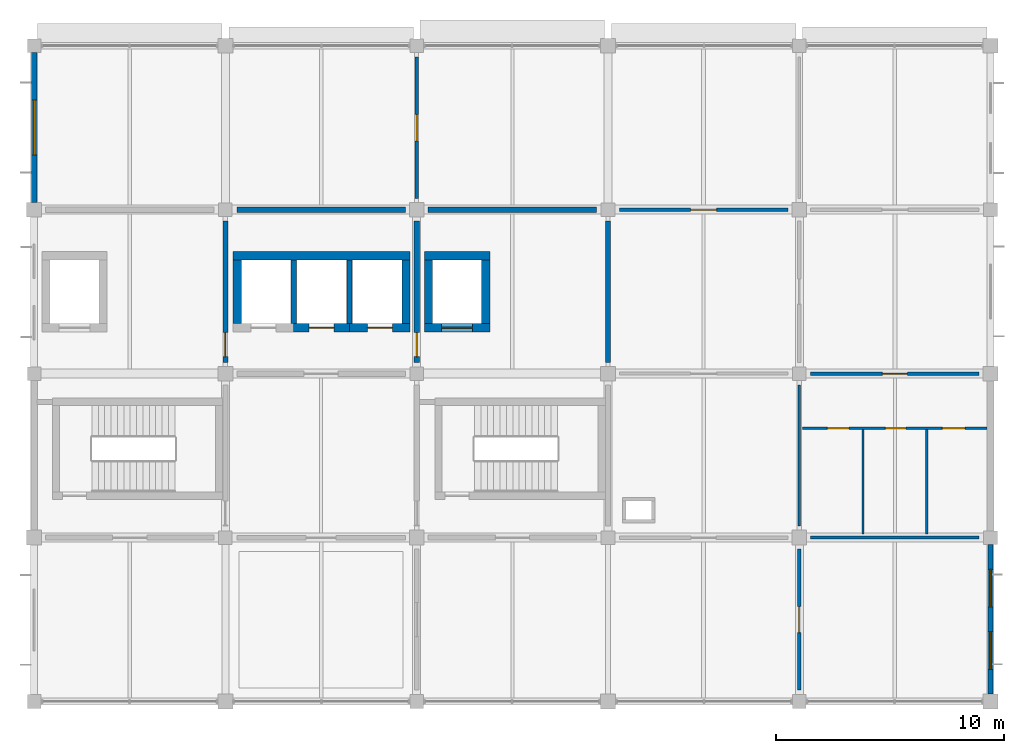
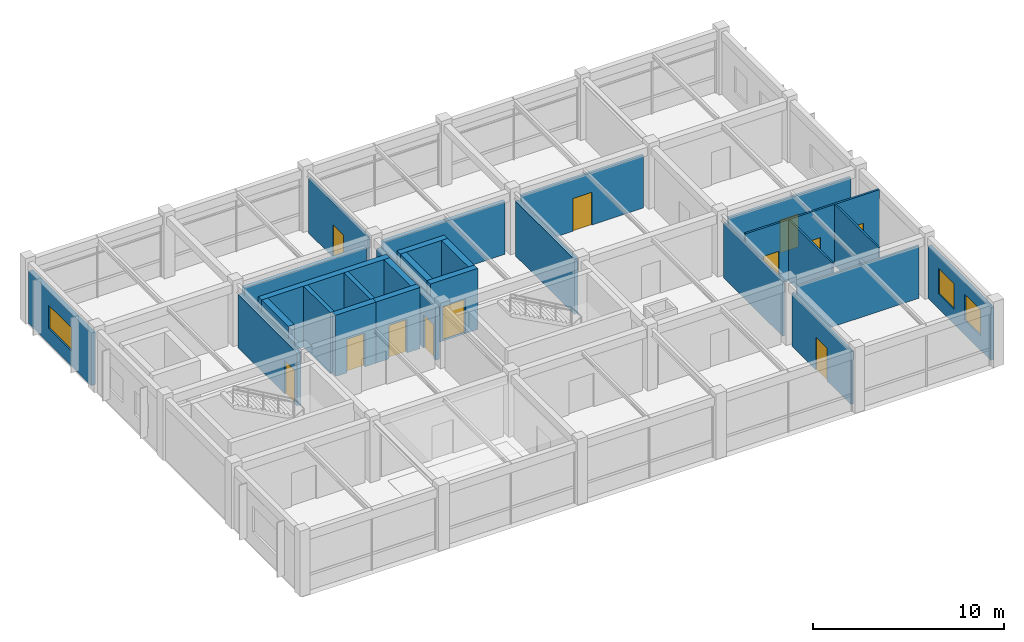
# One storey, part 9 of 11: 27 walls, 12 doors, 3 windows, 15 openings.
"""IFC4 building model written with IfcOpenShell, lengths in metres."""

from ifc_helpers import new_model, si_unit, derived_unit, direction, frame, frame_2d, origin, place, context, subcontext, project, spatial, rectangle, extrude, material, layer, layer_set, type_object, element, fill, save


model = new_model("IFC4")

# Units and contexts
model_context = context("Model", 3, precision=1e-05, world=origin(), true_north=direction((0.0, 1.0)))
body_context = subcontext(model_context, "Body", "Model", "MODEL_VIEW")
ifc_project = project(units=[si_unit("LENGTHUNIT", "METRE"), si_unit("AREAUNIT", "SQUARE_METRE"), si_unit("VOLUMEUNIT", "CUBIC_METRE"), si_unit("PLANEANGLEUNIT", "RADIAN"), si_unit("MASSUNIT", "GRAM", prefix="KILO"), derived_unit("THERMALTRANSMITTANCEUNIT", [(si_unit("MASSUNIT", "GRAM", prefix="KILO"), 1), (si_unit("TIMEUNIT", "SECOND"), -3), (si_unit("THERMODYNAMICTEMPERATUREUNIT", "KELVIN"), -1)])], contexts=[model_context])

# Site, building, storey
site_placement = place(None, origin())
site = spatial("IfcSite", under=ifc_project, at=site_placement, CompositionType="ELEMENT")
building_placement = place(site_placement, origin())
building = spatial("IfcBuilding", under=site, at=building_placement, Name="Veldstrom Oceanarium and Marine Research Institute", CompositionType="ELEMENT")
storey_placement = place(building_placement, frame((0.0, 0.0, 48.0)))
storey = spatial("IfcBuildingStorey", under=building, at=storey_placement, Name="L10", CompositionType="ELEMENT", Elevation=48.0)

# Wall, opening, window
ifc_material_1 = material(Name="Masonry Cavity Wall", Category="masonry")
ifc_layer_1 = layer(ifc_material_1, 0.25)
ifc_layer_set_1 = layer_set([ifc_layer_1], Name="ARC-WAL-EW5")
wall_type_1 = type_object("IfcWallType", Name="ARC-WAL-EW5", PredefinedType="SOLIDWALL", material=ifc_layer_set_1)
wall_1_placement = place(storey_placement, frame((75.60009765625, 65.125, 0.0), z_axis=(0.0, 0.0, 1.0), x_axis=(0.0, 1.0, 0.0)))
wall_1 = element("IfcWall", 1, at=wall_1_placement, inside=storey, type_object=wall_type_1, Name="Exterior Facade Wall EW5 L10-226", PredefinedType="SOLIDWALL", context=body_context, shape_type="SweptSolid", body=[
    extrude(rectangle(XDim=6.574951171875, YDim=0.25, at=frame_2d((3.28759765625, 0.0))), origin(), (0.0, 0.0, 1.0), 3.364990234375),
])
opening_1_placement = place(wall_1_placement, frame((2.08740234375, 0.0, 0.949951171875)))
opening_1 = element("IfcOpeningElement", 2, at=opening_1_placement, cuts=wall_1, Name="Opening W13", PredefinedType="OPENING", context=body_context, shape_type="SweptSolid", body=[
    extrude(rectangle(XDim=2.39990234375, YDim=1.5, at=frame_2d((1.199951171875, 0.75))), frame((0.0, 0.135009765625, 0.0), z_axis=(0.0, -1.0, 0.0), x_axis=(1.0, 0.0, 0.0)), (0.0, 0.0, 1.0), 0.27001953125),
])
ifc_material_2 = material(Name="Double Glazed Low-E IGU", Category="glass")
window_type_1 = type_object("IfcWindowType", Name="ARC-WIN-W13", PartitioningType="SINGLE_PANEL", PredefinedType="WINDOW", material=ifc_material_2)
window_1_placement = place(opening_1_placement, origin())
window_1 = element("IfcWindow", 3, at=window_1_placement, inside=storey, type_object=window_type_1, Name="Facade Window W13 L10-0203", OverallHeight=1.5, OverallWidth=2.39990234375, PartitioningType="SINGLE_PANEL", PredefinedType="WINDOW", context=body_context, shape_type="SweptSolid", body=[
    extrude(rectangle(XDim=2.39990234375, YDim=1.5, at=frame_2d((1.199951171875, 0.75))), frame((0.0, 0.030029296875, 0.0), z_axis=(0.0, -1.0, 0.0), x_axis=(1.0, 0.0, 0.0)), (0.0, 0.0, 1.0), 0.06005859375),
])
fill(opening_1, window_1)

# Wall, openings, windows
ifc_material_3 = material(Name="Masonry Cavity Wall", Category="masonry")
ifc_layer_2 = layer(ifc_material_3, 0.215087890625)
ifc_layer_set_2 = layer_set([ifc_layer_2], Name="ARC-WAL-EW6")
wall_type_2 = type_object("IfcWallType", Name="ARC-WAL-EW6", PredefinedType="SOLIDWALL", material=ifc_layer_set_2)
wall_2_placement = place(storey_placement, frame((117.60009765625, 43.52490234375, 0.0), z_axis=(0.0, 0.0, 1.0), x_axis=(0.0, 1.0, 0.0)))
wall_2 = element("IfcWall", 4, at=wall_2_placement, inside=storey, type_object=wall_type_2, Name="Exterior Facade Wall EW6 L10-227", PredefinedType="SOLIDWALL", context=body_context, shape_type="SweptSolid", body=[
    extrude(rectangle(XDim=6.5751953125, YDim=0.215087890625, at=frame_2d((3.28759765625, 0.0))), origin(), (0.0, 0.0, 1.0), 3.364990234375),
])
opening_2_placement = place(wall_2_placement, frame((1.091796875, 0.0, 0.949951171875)))
opening_2 = element("IfcOpeningElement", 5, at=opening_2_placement, cuts=wall_2, Name="Opening W23", PredefinedType="OPENING", context=body_context, shape_type="SweptSolid", body=[
    extrude(rectangle(XDim=1.64990234375, YDim=1.64990234375, at=frame_2d((0.824951171875, 0.824951171875))), frame((0.0, 0.117431640625, 0.0), z_axis=(0.0, -1.0, 0.0), x_axis=(1.0, 0.0, 0.0)), (0.0, 0.0, 1.0), 0.235107421875),
])
opening_3_placement = place(wall_2_placement, frame((3.833251953125, 0.0, 0.949951171875)))
opening_3 = element("IfcOpeningElement", 6, at=opening_3_placement, cuts=wall_2, Name="Opening W23", PredefinedType="OPENING", context=body_context, shape_type="SweptSolid", body=[
    extrude(rectangle(XDim=1.64990234375, YDim=1.64990234375, at=frame_2d((0.824951171875, 0.824951171875))), frame((0.0, 0.117431640625, 0.0), z_axis=(0.0, -1.0, 0.0), x_axis=(1.0, 0.0, 0.0)), (0.0, 0.0, 1.0), 0.235107421875),
])
ifc_material_4 = material(Name="Double Glazed Low-E IGU", Category="glass")
window_type_2 = type_object("IfcWindowType", Name="ARC-WIN-W23", PartitioningType="SINGLE_PANEL", PredefinedType="WINDOW", material=ifc_material_4)
window_2_placement = place(opening_2_placement, origin())
window_2 = element("IfcWindow", 7, at=window_2_placement, inside=storey, type_object=window_type_2, Name="Facade Window W23 L10-0204", OverallHeight=1.64990234375, OverallWidth=1.64990234375, PartitioningType="SINGLE_PANEL", PredefinedType="WINDOW", context=body_context, shape_type="SweptSolid", body=[
    extrude(rectangle(XDim=1.64990234375, YDim=1.64990234375, at=frame_2d((0.824951171875, 0.824951171875))), frame((0.0, 0.030029296875, 0.0), z_axis=(0.0, -1.0, 0.0), x_axis=(1.0, 0.0, 0.0)), (0.0, 0.0, 1.0), 0.06005859375),
])
fill(opening_2, window_2)
window_3_placement = place(opening_3_placement, origin())
window_3 = element("IfcWindow", 8, at=window_3_placement, inside=storey, type_object=window_type_2, Name="Facade Window W23 L10-0205", OverallHeight=1.64990234375, OverallWidth=1.64990234375, PartitioningType="SINGLE_PANEL", PredefinedType="WINDOW", context=body_context, shape_type="SweptSolid", body=[
    extrude(rectangle(XDim=1.64990234375, YDim=1.64990234375, at=frame_2d((0.824951171875, 0.824951171875))), frame((0.0, 0.030029296875, 0.0), z_axis=(0.0, -1.0, 0.0), x_axis=(1.0, 0.0, 0.0)), (0.0, 0.0, 1.0), 0.06005859375),
])
fill(opening_3, window_3)

# Wall, opening, door
ifc_material_5 = material(Name="Masonry Fire Compartment Wall", Category="masonry")
ifc_layer_3 = layer(ifc_material_5, 0.22998046875)
ifc_layer_set_3 = layer_set([ifc_layer_3], Name="ARC-WAL-PT1")
wall_type_3 = type_object("IfcWallType", Name="ARC-WAL-PT1", PredefinedType="PARTITIONING", material=ifc_layer_set_3)
wall_3_placement = place(storey_placement, frame((84.0, 58.10009765625, 0.0), z_axis=(0.0, 0.0, 1.0), x_axis=(0.0, 1.0, 0.0)))
wall_3 = element("IfcWall", 9, at=wall_3_placement, inside=storey, type_object=wall_type_3, Name="Interior Partition PT1 L10-1638", PredefinedType="PARTITIONING", context=body_context, shape_type="SweptSolid", body=[
    extrude(rectangle(XDim=6.199951171875, YDim=0.22998046875, at=frame_2d((3.10009765625, 0.0))), origin(), (0.0, 0.0, 1.0), 3.4150390625),
])
opening_4_placement = place(wall_3_placement, frame((0.25, 0.0, 0.0)))
opening_4 = element("IfcOpeningElement", 10, at=opening_4_placement, cuts=wall_3, Name="Opening D-L10-999", PredefinedType="OPENING", context=body_context, shape_type="SweptSolid", body=[
    extrude(rectangle(XDim=1.050048828125, YDim=2.14990234375, at=frame_2d((0.52490234375, 1.074951171875))), frame((0.0, 0.125, 0.0), z_axis=(0.0, -1.0, 0.0), x_axis=(1.0, 0.0, 0.0)), (0.0, 0.0, 1.0), 0.25),
])
ifc_material_6 = material(Name="Painted Steel Fire Door", Category="steel")
door_type_1 = type_object("IfcDoorType", Name="ARC-DOR-SD1", OperationType="SINGLE_SWING_LEFT", PredefinedType="DOOR", material=ifc_material_6)
door_1_placement = place(opening_4_placement, origin())
door_1 = element("IfcDoor", 11, at=door_1_placement, inside=storey, type_object=door_type_1, Name="Interior Door D-L10-999", OperationType="SINGLE_SWING_LEFT", OverallHeight=2.14990234375, OverallWidth=1.050048828125, PredefinedType="DOOR", context=body_context, shape_type="SweptSolid", body=[
    extrude(rectangle(XDim=1.050048828125, YDim=2.14990234375, at=frame_2d((0.52490234375, 1.074951171875))), frame((0.0, 0.02490234375, 0.0), z_axis=(0.0, -1.0, 0.0), x_axis=(1.0, 0.0, 0.0)), (0.0, 0.0, 1.0), 0.050048828125),
])
fill(opening_4, door_1)

wall_4_placement = place(storey_placement, frame((92.39990234375, 58.10009765625, 0.0), z_axis=(0.0, 0.0, 1.0), x_axis=(0.0, 1.0, 0.0)))
wall_4 = element("IfcWall", 12, at=wall_4_placement, inside=storey, type_object=wall_type_3, Name="Interior Partition PT1 L10-1644", PredefinedType="PARTITIONING", context=body_context, shape_type="SweptSolid", body=[
    extrude(rectangle(XDim=6.199951171875, YDim=0.22998046875, at=frame_2d((3.10009765625, 0.0))), origin(), (0.0, 0.0, 1.0), 3.4150390625),
])
opening_5_placement = place(wall_4_placement, frame((0.25, 0.0, 0.0)))
opening_5 = element("IfcOpeningElement", 13, at=opening_5_placement, cuts=wall_4, Name="Opening D-L10-1004", PredefinedType="OPENING", context=body_context, shape_type="SweptSolid", body=[
    extrude(rectangle(XDim=1.050048828125, YDim=2.14990234375, at=frame_2d((0.52490234375, 1.074951171875))), frame((0.0, 0.125, 0.0), z_axis=(0.0, -1.0, 0.0), x_axis=(1.0, 0.0, 0.0)), (0.0, 0.0, 1.0), 0.25),
])
door_2_placement = place(opening_5_placement, frame((1.050048828125, 0.0, 0.0), z_axis=(0.0, 0.0, 1.0), x_axis=(-1.0, 0.0, 0.0)))
door_2 = element("IfcDoor", 14, at=door_2_placement, inside=storey, type_object=door_type_1, Name="Interior Door D-L10-1004", OperationType="SINGLE_SWING_RIGHT", OverallHeight=2.14990234375, OverallWidth=1.050048828125, PredefinedType="DOOR", context=body_context, shape_type="SweptSolid", body=[
    extrude(rectangle(XDim=1.050048828125, YDim=2.14990234375, at=frame_2d((0.52490234375, 1.074951171875))), frame((0.0, 0.02490234375, 0.0), z_axis=(0.0, -1.0, 0.0), x_axis=(1.0, 0.0, 0.0)), (0.0, 0.0, 1.0), 0.050048828125),
])
fill(opening_5, door_2)

# Walls
wall_5_placement = place(storey_placement, frame((84.5, 64.800048828125, 0.0), z_axis=(0.0, 0.0, 1.0), x_axis=(1.0, 0.0, 0.0)))
element("IfcWall", 15, at=wall_5_placement, inside=storey, type_object=wall_type_3, Name="Interior Partition PT1 L10-1645", PredefinedType="PARTITIONING", context=body_context, shape_type="SweptSolid", body=[
    extrude(rectangle(XDim=7.39990234375, YDim=0.22998046875, at=frame_2d((3.699951171875, 0.0))), origin(), (0.0, 0.0, 1.0), 3.364990234375),
])
wall_6_placement = place(storey_placement, frame((100.800048828125, 58.10009765625, 0.0), z_axis=(0.0, 0.0, 1.0), x_axis=(0.0, 1.0, 0.0)))
element("IfcWall", 16, at=wall_6_placement, inside=storey, type_object=wall_type_3, Name="Interior Partition PT1 L10-1650", PredefinedType="PARTITIONING", context=body_context, shape_type="SweptSolid", body=[
    extrude(rectangle(XDim=6.199951171875, YDim=0.22998046875, at=frame_2d((3.10009765625, 0.0))), origin(), (0.0, 0.0, 1.0), 3.514892578125),
])
wall_7_placement = place(storey_placement, frame((92.89990234375, 64.800048828125, 0.0), z_axis=(0.0, 0.0, 1.0), x_axis=(1.0, 0.0, 0.0)))
element("IfcWall", 17, at=wall_7_placement, inside=storey, type_object=wall_type_3, Name="Interior Partition PT1 L10-1651", PredefinedType="PARTITIONING", context=body_context, shape_type="SweptSolid", body=[
    extrude(rectangle(XDim=7.400146484375, YDim=0.22998046875, at=frame_2d((3.7001953125, 0.0))), origin(), (0.0, 0.0, 1.0), 3.364990234375),
])

# Wall, opening, door
ifc_material_7 = material(Name="Drywall Corridor Partition", Category="gypsum")
ifc_layer_4 = layer(ifc_material_7, 0.155029296875)
ifc_layer_set_4 = layer_set([ifc_layer_4], Name="ARC-WAL-PT4")
wall_type_4 = type_object("IfcWallType", Name="ARC-WAL-PT4", PredefinedType="PARTITIONING", material=ifc_layer_set_4)
wall_8_placement = place(storey_placement, frame((109.199951171875, 43.699951171875, 0.0), z_axis=(0.0, 0.0, 1.0), x_axis=(0.0, 1.0, 0.0)))
wall_8 = element("IfcWall", 18, at=wall_8_placement, inside=storey, type_object=wall_type_4, Name="Interior Partition PT4 L10-1652", PredefinedType="PARTITIONING", context=body_context, shape_type="SweptSolid", body=[
    extrude(rectangle(XDim=6.199951171875, YDim=0.155029296875, at=frame_2d((3.10009765625, 0.0))), origin(), (0.0, 0.0, 1.0), 3.4150390625),
])
opening_6_placement = place(wall_8_placement, frame((2.52490234375, 0.0, 0.0)))
opening_6 = element("IfcOpeningElement", 19, at=opening_6_placement, cuts=wall_8, Name="Opening D-L10-1007", PredefinedType="OPENING", context=body_context, shape_type="SweptSolid", body=[
    extrude(rectangle(XDim=1.14990234375, YDim=2.10009765625, at=frame_2d((0.574951171875, 1.050048828125))), frame((0.0, 0.08740234375, 0.0), z_axis=(0.0, -1.0, 0.0), x_axis=(1.0, 0.0, 0.0)), (0.0, 0.0, 1.0), 0.175048828125),
])
ifc_material_8 = material(Name="Fellows Studio Door", Category="timber")
door_type_2 = type_object("IfcDoorType", Name="ARC-DOR-ID17", OperationType="SINGLE_SWING_LEFT", PredefinedType="DOOR", material=ifc_material_8)
door_3_placement = place(opening_6_placement, frame((1.14990234375, 0.0, 0.0), z_axis=(0.0, 0.0, 1.0), x_axis=(-1.0, 0.0, 0.0)))
door_3 = element("IfcDoor", 20, at=door_3_placement, inside=storey, type_object=door_type_2, Name="Interior Door D-L10-1007", OperationType="SINGLE_SWING_RIGHT", OverallHeight=2.10009765625, OverallWidth=1.14990234375, PredefinedType="DOOR", context=body_context, shape_type="SweptSolid", body=[
    extrude(rectangle(XDim=1.14990234375, YDim=2.10009765625, at=frame_2d((0.574951171875, 1.050048828125))), frame((0.0, 0.02490234375, 0.0), z_axis=(0.0, -1.0, 0.0), x_axis=(1.0, 0.0, 0.0)), (0.0, 0.0, 1.0), 0.050048828125),
])
fill(opening_6, door_3)

wall_9_placement = place(storey_placement, frame((101.300048828125, 64.800048828125, 0.0), z_axis=(0.0, 0.0, 1.0), x_axis=(1.0, 0.0, 0.0)))
wall_9 = element("IfcWall", 21, at=wall_9_placement, inside=storey, type_object=wall_type_4, Name="Interior Partition PT4 L10-1657", PredefinedType="PARTITIONING", context=body_context, shape_type="SweptSolid", body=[
    extrude(rectangle(XDim=7.39990234375, YDim=0.155029296875, at=frame_2d((3.699951171875, 0.0))), origin(), (0.0, 0.0, 1.0), 3.364990234375),
])
opening_7_placement = place(wall_9_placement, frame((3.125, 0.0, 0.0)))
opening_7 = element("IfcOpeningElement", 22, at=opening_7_placement, cuts=wall_9, Name="Opening D-L10-1011", PredefinedType="OPENING", context=body_context, shape_type="SweptSolid", body=[
    extrude(rectangle(XDim=1.14990234375, YDim=2.10009765625, at=frame_2d((0.574951171875, 1.050048828125))), frame((0.0, 0.08740234375, 0.0), z_axis=(0.0, -1.0, 0.0), x_axis=(1.0, 0.0, 0.0)), (0.0, 0.0, 1.0), 0.175048828125),
])
door_4_placement = place(opening_7_placement, origin())
door_4 = element("IfcDoor", 23, at=door_4_placement, inside=storey, type_object=door_type_2, Name="Interior Door D-L10-1011", OperationType="SINGLE_SWING_LEFT", OverallHeight=2.10009765625, OverallWidth=1.14990234375, PredefinedType="DOOR", context=body_context, shape_type="SweptSolid", body=[
    extrude(rectangle(XDim=1.14990234375, YDim=2.10009765625, at=frame_2d((0.574951171875, 1.050048828125))), frame((0.0, 0.02490234375, 0.0), z_axis=(0.0, -1.0, 0.0), x_axis=(1.0, 0.0, 0.0)), (0.0, 0.0, 1.0), 0.050048828125),
])
fill(opening_7, door_4)

wall_10_placement = place(storey_placement, frame((109.699951171875, 57.60009765625, 0.0), z_axis=(0.0, 0.0, 1.0), x_axis=(1.0, 0.0, 0.0)))
wall_10 = element("IfcWall", 24, at=wall_10_placement, inside=storey, type_object=wall_type_4, Name="Interior Partition PT4 L10-1660", PredefinedType="PARTITIONING", context=body_context, shape_type="SweptSolid", body=[
    extrude(rectangle(XDim=7.400146484375, YDim=0.155029296875, at=frame_2d((3.7001953125, 0.0))), origin(), (0.0, 0.0, 1.0), 3.364990234375),
])
opening_8_placement = place(wall_10_placement, frame((3.14990234375, 0.0, 0.0)))
opening_8 = element("IfcOpeningElement", 25, at=opening_8_placement, cuts=wall_10, Name="Opening D-L10-1012", PredefinedType="OPENING", context=body_context, shape_type="SweptSolid", body=[
    extrude(rectangle(XDim=1.10009765625, YDim=2.10009765625, at=frame_2d((0.550048828125, 1.050048828125))), frame((0.0, 0.08740234375, 0.0), z_axis=(0.0, -1.0, 0.0), x_axis=(1.0, 0.0, 0.0)), (0.0, 0.0, 1.0), 0.175048828125),
])
ifc_material_9 = material(Name="Research Office Door", Category="timber")
door_type_3 = type_object("IfcDoorType", Name="ARC-DOR-ID07", OperationType="SINGLE_SWING_LEFT", PredefinedType="DOOR", material=ifc_material_9)
door_5_placement = place(opening_8_placement, frame((1.10009765625, 0.0, 0.0), z_axis=(0.0, 0.0, 1.0), x_axis=(-1.0, 0.0, 0.0)))
door_5 = element("IfcDoor", 26, at=door_5_placement, inside=storey, type_object=door_type_3, Name="Interior Door D-L10-1012", OperationType="SINGLE_SWING_RIGHT", OverallHeight=2.10009765625, OverallWidth=1.10009765625, PredefinedType="DOOR", context=body_context, shape_type="SweptSolid", body=[
    extrude(rectangle(XDim=1.10009765625, YDim=2.10009765625, at=frame_2d((0.550048828125, 1.050048828125))), frame((0.0, 0.02490234375, 0.0), z_axis=(0.0, -1.0, 0.0), x_axis=(1.0, 0.0, 0.0)), (0.0, 0.0, 1.0), 0.050048828125),
])
fill(opening_8, door_5)

ifc_material_10 = material(Name="Moisture-Resistant Wet-Area Partition", Category="masonry")
ifc_layer_5 = layer(ifc_material_10, 0.139892578125)
ifc_layer_set_5 = layer_set([ifc_layer_5], Name="ARC-WAL-PT5")
wall_type_5 = type_object("IfcWallType", Name="ARC-WAL-PT5", PredefinedType="PARTITIONING", material=ifc_layer_set_5)
wall_11_placement = place(storey_placement, frame((92.39990234375, 65.300048828125, 0.0), z_axis=(0.0, 0.0, 1.0), x_axis=(0.0, 1.0, 0.0)))
wall_11 = element("IfcWall", 27, at=wall_11_placement, inside=storey, type_object=wall_type_5, Name="Interior Partition PT5 L10-1646", PredefinedType="PARTITIONING", context=body_context, shape_type="SweptSolid", body=[
    extrude(rectangle(XDim=6.199951171875, YDim=0.139892578125, at=frame_2d((3.10009765625, 0.0))), origin(), (0.0, 0.0, 1.0), 3.514892578125),
])
opening_9_placement = place(wall_11_placement, frame((2.52490234375, 0.0, 0.0)))
opening_9 = element("IfcOpeningElement", 28, at=opening_9_placement, cuts=wall_11, Name="Opening D-L10-1005", PredefinedType="OPENING", context=body_context, shape_type="SweptSolid", body=[
    extrude(rectangle(XDim=1.14990234375, YDim=2.10009765625, at=frame_2d((0.574951171875, 1.050048828125))), frame((0.0, 0.079833984375, 0.0), z_axis=(0.0, -1.0, 0.0), x_axis=(1.0, 0.0, 0.0)), (0.0, 0.0, 1.0), 0.159912109375),
])
door_6_placement = place(opening_9_placement, origin())
door_6 = element("IfcDoor", 29, at=door_6_placement, inside=storey, type_object=door_type_2, Name="Interior Door D-L10-1005", OperationType="SINGLE_SWING_RIGHT", OverallHeight=2.10009765625, OverallWidth=1.14990234375, PredefinedType="DOOR", context=body_context, shape_type="SweptSolid", body=[
    extrude(rectangle(XDim=1.14990234375, YDim=2.10009765625, at=frame_2d((0.574951171875, 1.050048828125))), frame((0.0, 0.02490234375, 0.0), z_axis=(0.0, -1.0, 0.0), x_axis=(1.0, 0.0, 0.0)), (0.0, 0.0, 1.0), 0.050048828125),
])
fill(opening_9, door_6)

# Wall, openings, doors
ifc_material_11 = material(Name="Lightweight Studio Partition", Category="gypsum")
ifc_layer_6 = layer(ifc_material_11, 0.1201171875)
ifc_layer_set_6 = layer_set([ifc_layer_6], Name="ARC-WAL-PT6")
wall_type_6 = type_object("IfcWallType", Name="ARC-WAL-PT6", PredefinedType="PARTITIONING", material=ifc_layer_set_6)
wall_12_placement = place(storey_placement, frame((109.35009765625, 55.199951171875, 0.0), z_axis=(0.0, 0.0, 1.0), x_axis=(1.0, 0.0, 0.0)))
wall_12 = element("IfcWall", 30, at=wall_12_placement, inside=storey, type_object=wall_type_6, Name="Sanitary Vestibule Partition L10-13", PredefinedType="PARTITIONING", context=body_context, shape_type="SweptSolid", body=[
    extrude(rectangle(XDim=8.099853515625, YDim=0.1201171875, at=frame_2d((4.0498046875, 0.0))), origin(), (0.0, 0.0, 1.0), 3.919921875),
])
opening_10_placement = place(wall_12_placement, frame((1.080078125, 0.0, 0.0)))
opening_10 = element("IfcOpeningElement", 31, at=opening_10_placement, cuts=wall_12, Name="Opening D-L10-WC994", PredefinedType="OPENING", context=body_context, shape_type="SweptSolid", body=[
    extrude(rectangle(XDim=0.949951171875, YDim=2.10009765625, at=frame_2d((0.47509765625, 1.050048828125))), frame((0.0, 0.070068359375, 0.0), z_axis=(0.0, -1.0, 0.0), x_axis=(1.0, 0.0, 0.0)), (0.0, 0.0, 1.0), 0.14013671875),
])
opening_11_placement = place(wall_12_placement, frame((3.6298828125, 0.0, 0.0)))
opening_11 = element("IfcOpeningElement", 32, at=opening_11_placement, cuts=wall_12, Name="Opening D-L10-WC995", PredefinedType="OPENING", context=body_context, shape_type="SweptSolid", body=[
    extrude(rectangle(XDim=0.89990234375, YDim=2.10009765625, at=frame_2d((0.449951171875, 1.050048828125))), frame((0.0, 0.070068359375, 0.0), z_axis=(0.0, -1.0, 0.0), x_axis=(1.0, 0.0, 0.0)), (0.0, 0.0, 1.0), 0.14013671875),
])
opening_12_placement = place(wall_12_placement, frame((6.1298828125, 0.0, 0.0)))
opening_12 = element("IfcOpeningElement", 33, at=opening_12_placement, cuts=wall_12, Name="Opening D-L10-WC996", PredefinedType="OPENING", context=body_context, shape_type="SweptSolid", body=[
    extrude(rectangle(XDim=1.0, YDim=2.10009765625, at=frame_2d((0.5, 1.050048828125))), frame((0.0, 0.070068359375, 0.0), z_axis=(0.0, -1.0, 0.0), x_axis=(1.0, 0.0, 0.0)), (0.0, 0.0, 1.0), 0.14013671875),
])
ifc_material_12 = material(Name="Accessible Sanitary Door", Category="timber")
door_type_4 = type_object("IfcDoorType", Name="ARC-DOR-ID08", OperationType="SINGLE_SWING_RIGHT", PredefinedType="DOOR", material=ifc_material_12)
door_7_placement = place(opening_12_placement, frame((1.0, 0.0, 0.0), z_axis=(0.0, 0.0, 1.0), x_axis=(-1.0, 0.0, 0.0)))
door_7 = element("IfcDoor", 34, at=door_7_placement, inside=storey, type_object=door_type_4, Name="Accessible WC Door D-L10-WC996", OperationType="SINGLE_SWING_RIGHT", OverallHeight=2.10009765625, OverallWidth=1.0, PredefinedType="DOOR", context=body_context, shape_type="SweptSolid", body=[
    extrude(rectangle(XDim=1.0, YDim=2.10009765625, at=frame_2d((0.5, 1.050048828125))), frame((0.0, 0.02490234375, 0.0), z_axis=(0.0, -1.0, 0.0), x_axis=(1.0, 0.0, 0.0)), (0.0, 0.0, 1.0), 0.050048828125),
])
fill(opening_12, door_7)
ifc_material_13 = material(Name="Staff Sanitary Door", Category="timber")
door_type_5 = type_object("IfcDoorType", Name="ARC-DOR-ID09", OperationType="SINGLE_SWING_LEFT", PredefinedType="DOOR", material=ifc_material_13)
door_8_placement = place(opening_10_placement, frame((0.949951171875, 0.0, 0.0), z_axis=(0.0, 0.0, 1.0), x_axis=(-1.0, 0.0, 0.0)))
door_8 = element("IfcDoor", 35, at=door_8_placement, inside=storey, type_object=door_type_5, Name="Male WC Door D-L10-WC994", OperationType="SINGLE_SWING_RIGHT", OverallHeight=2.10009765625, OverallWidth=0.949951171875, PredefinedType="DOOR", context=body_context, shape_type="SweptSolid", body=[
    extrude(rectangle(XDim=0.949951171875, YDim=2.10009765625, at=frame_2d((0.47509765625, 1.050048828125))), frame((0.0, 0.02490234375, 0.0), z_axis=(0.0, -1.0, 0.0), x_axis=(1.0, 0.0, 0.0)), (0.0, 0.0, 1.0), 0.050048828125),
])
fill(opening_10, door_8)
ifc_material_14 = material(Name="Internal Sanitary Door", Category="timber")
door_type_6 = type_object("IfcDoorType", Name="ARC-DOR-ID10", OperationType="SINGLE_SWING_RIGHT", PredefinedType="DOOR", material=ifc_material_14)
door_9_placement = place(opening_11_placement, frame((0.89990234375, 0.0, 0.0), z_axis=(0.0, 0.0, 1.0), x_axis=(-1.0, 0.0, 0.0)))
door_9 = element("IfcDoor", 36, at=door_9_placement, inside=storey, type_object=door_type_6, Name="Female WC Door D-L10-WC995", OperationType="SINGLE_SWING_LEFT", OverallHeight=2.10009765625, OverallWidth=0.89990234375, PredefinedType="DOOR", context=body_context, shape_type="SweptSolid", body=[
    extrude(rectangle(XDim=0.89990234375, YDim=2.10009765625, at=frame_2d((0.449951171875, 1.050048828125))), frame((0.0, 0.02490234375, 0.0), z_axis=(0.0, -1.0, 0.0), x_axis=(1.0, 0.0, 0.0)), (0.0, 0.0, 1.0), 0.050048828125),
])
fill(opening_11, door_9)

# Walls
wall_13_placement = place(storey_placement, frame((109.199951171875, 50.89990234375, 0.0), z_axis=(0.0, 0.0, 1.0), x_axis=(0.0, 1.0, 0.0)))
element("IfcWall", 37, at=wall_13_placement, inside=storey, type_object=wall_type_6, Name="Interior Partition PT6 L10-1654", PredefinedType="PARTITIONING", context=body_context, shape_type="SweptSolid", body=[
    extrude(rectangle(XDim=6.2001953125, YDim=0.1201171875, at=frame_2d((3.10009765625, 0.0))), origin(), (0.0, 0.0, 1.0), 3.514892578125),
])
wall_14_placement = place(storey_placement, frame((109.699951171875, 50.39990234375, 0.0), z_axis=(0.0, 0.0, 1.0), x_axis=(1.0, 0.0, 0.0)))
element("IfcWall", 38, at=wall_14_placement, inside=storey, type_object=wall_type_6, Name="Interior Partition PT6 L10-1659", PredefinedType="PARTITIONING", context=body_context, shape_type="SweptSolid", body=[
    extrude(rectangle(XDim=7.400146484375, YDim=0.1201171875, at=frame_2d((3.7001953125, 0.0))), origin(), (0.0, 0.0, 1.0), 3.364990234375),
])
ifc_material_15 = material(Name="Sanitary Cubicle Partition", Category="gypsum")
ifc_layer_7 = layer(ifc_material_15, 0.10009765625)
ifc_layer_set_7 = layer_set([ifc_layer_7], Name="ARC-WAL-PT7")
wall_type_7 = type_object("IfcWallType", Name="ARC-WAL-PT7", PredefinedType="PARTITIONING", material=ifc_layer_set_7)
for number, where, z_axis, x_axis, name in (
    (39, (112.0, 50.550048828125, 0.0), (0.0, 0.0, 1.0), (0.0, 1.0, 0.0), "Sanitary Stall Divider Wall L10-1633"),
    (40, (114.800048828125, 50.550048828125, 0.0), (0.0, 0.0, 1.0), (0.0, 1.0, 0.0), "Sanitary Stall Divider Wall L10-1634"),
):
    element("IfcWall", number, at=place(storey_placement, frame(where, z_axis=z_axis, x_axis=x_axis)), inside=storey, type_object=wall_type_7, Name=name, PredefinedType="PARTITIONING", context=body_context, shape_type="SweptSolid", body=[
        extrude(rectangle(XDim=4.58984375, YDim=0.10009765625, at=frame_2d((2.294921875, 0.0))), origin(), (0.0, 0.0, 1.0), 3.919921875),
    ])
ifc_material_16 = material(Name="Concrete C40/50", Category="concrete")
ifc_layer_8 = layer(ifc_material_16, 0.360107421875)
ifc_layer_set_8 = layer_set([ifc_layer_8], Name="STR-WAL-WC2")
wall_type_8 = type_object("IfcWallType", Name="STR-WAL-WC2", PredefinedType="SHEAR", material=ifc_layer_set_8)
wall_15_placement = place(storey_placement, frame((84.340087890625, 62.780029296875, 0.0), z_axis=(0.0, 0.0, 1.0), x_axis=(1.0, 0.0, 0.0)))
element("IfcWall", 41, at=wall_15_placement, inside=storey, type_object=wall_type_8, Name="Lift Shaft Shear Wall N L10 10/8", PredefinedType="SHEAR", context=body_context, shape_type="SweptSolid", body=[
    extrude(rectangle(XDim=7.77001953125, YDim=0.360107421875, at=frame_2d((3.885009765625, 0.0))), origin(), (0.0, 0.0, 1.0), 3.919921875),
])

# Wall, opening, door
wall_16_placement = place(storey_placement, frame((87.0, 59.6201171875, 0.0), z_axis=(0.0, 0.0, 1.0), x_axis=(1.0, 0.0, 0.0)))
wall_16 = element("IfcWall", 42, at=wall_16_placement, inside=storey, type_object=wall_type_8, Name="Lift Shaft Front Shear Wall LP2 L10", PredefinedType="SHEAR", context=body_context, shape_type="SweptSolid", body=[
    extrude(rectangle(XDim=2.449951171875, YDim=0.360107421875, at=frame_2d((1.22509765625, 0.0))), origin(), (0.0, 0.0, 1.0), 3.919921875),
])
opening_13_placement = place(wall_16_placement, frame((0.675048828125, 0.0, 0.0)))
opening_13 = element("IfcOpeningElement", 43, at=opening_13_placement, cuts=wall_16, Name="Opening LD-LP2-L10", PredefinedType="OPENING", context=body_context, shape_type="SweptSolid", body=[
    extrude(rectangle(XDim=1.10009765625, YDim=2.14990234375, at=frame_2d((0.550048828125, 1.074951171875))), frame((0.0, 0.18994140625, 0.0), z_axis=(0.0, -1.0, 0.0), x_axis=(1.0, 0.0, 0.0)), (0.0, 0.0, 1.0), 0.380126953125),
])
ifc_material_17 = material(Name="Stainless Steel Lift Landing Door", Category="steel")
door_type_7 = type_object("IfcDoorType", Name="ARC-DOR-LD1", OperationType="DOUBLE_DOOR_SLIDING", PredefinedType="DOOR", material=ifc_material_17)
door_10_placement = place(opening_13_placement, origin())
door_10 = element("IfcDoor", 44, at=door_10_placement, inside=storey, type_object=door_type_7, Name="Lift Landing Door LD-LP2-L10", OperationType="DOUBLE_DOOR_SLIDING", OverallHeight=2.14990234375, OverallWidth=1.10009765625, PredefinedType="DOOR", context=body_context, shape_type="SweptSolid", body=[
    extrude(rectangle(XDim=1.10009765625, YDim=2.14990234375, at=frame_2d((0.550048828125, 1.074951171875))), frame((0.0, 0.02490234375, 0.0), z_axis=(0.0, -1.0, 0.0), x_axis=(1.0, 0.0, 0.0)), (0.0, 0.0, 1.0), 0.050048828125),
])
fill(opening_13, door_10)

wall_17_placement = place(storey_placement, frame((89.449951171875, 59.6201171875, 0.0), z_axis=(0.0, 0.0, 1.0), x_axis=(1.0, 0.0, 0.0)))
wall_17 = element("IfcWall", 45, at=wall_17_placement, inside=storey, type_object=wall_type_8, Name="Lift Shaft Front Shear Wall LP3 L10", PredefinedType="SHEAR", context=body_context, shape_type="SweptSolid", body=[
    extrude(rectangle(XDim=2.66015625, YDim=0.360107421875, at=frame_2d((1.330078125, 0.0))), origin(), (0.0, 0.0, 1.0), 3.919921875),
])
opening_14_placement = place(wall_17_placement, frame((0.780029296875, 0.0, 0.0)))
opening_14 = element("IfcOpeningElement", 46, at=opening_14_placement, cuts=wall_17, Name="Opening LD-LP3-L10", PredefinedType="OPENING", context=body_context, shape_type="SweptSolid", body=[
    extrude(rectangle(XDim=1.10009765625, YDim=2.14990234375, at=frame_2d((0.550048828125, 1.074951171875))), frame((0.0, 0.18994140625, 0.0), z_axis=(0.0, -1.0, 0.0), x_axis=(1.0, 0.0, 0.0)), (0.0, 0.0, 1.0), 0.380126953125),
])
door_11_placement = place(opening_14_placement, origin())
door_11 = element("IfcDoor", 47, at=door_11_placement, inside=storey, type_object=door_type_7, Name="Lift Landing Door LD-LP3-L10", OperationType="DOUBLE_DOOR_SLIDING", OverallHeight=2.14990234375, OverallWidth=1.10009765625, PredefinedType="DOOR", context=body_context, shape_type="SweptSolid", body=[
    extrude(rectangle(XDim=1.10009765625, YDim=2.14990234375, at=frame_2d((0.550048828125, 1.074951171875))), frame((0.0, 0.02490234375, 0.0), z_axis=(0.0, -1.0, 0.0), x_axis=(1.0, 0.0, 0.0)), (0.0, 0.0, 1.0), 0.050048828125),
])
fill(opening_14, door_11)

# Walls
for number, where, z_axis, x_axis, name in (
    (48, (84.52001953125, 59.800048828125, 0.0), (0.0, 0.0, 1.0), (0.0, 1.0, 0.0), "Lift Shaft Shear Wall W L10 10/8"),
    (49, (91.929931640625, 59.800048828125, 0.0), (0.0, 0.0, 1.0), (0.0, 1.0, 0.0), "Lift Shaft Shear Wall E L10 10/8"),
):
    element("IfcWall", number, at=place(storey_placement, frame(where, z_axis=z_axis, x_axis=x_axis)), inside=storey, type_object=wall_type_8, Name=name, PredefinedType="SHEAR", context=body_context, shape_type="SweptSolid", body=[
        extrude(rectangle(XDim=2.800048828125, YDim=0.360107421875, at=frame_2d((1.39990234375, 0.0))), origin(), (0.0, 0.0, 1.0), 3.919921875),
    ])
wall_18_placement = place(storey_placement, frame((92.739990234375, 62.780029296875, 0.0), z_axis=(0.0, 0.0, 1.0), x_axis=(1.0, 0.0, 0.0)))
element("IfcWall", 50, at=wall_18_placement, inside=storey, type_object=wall_type_8, Name="Lift Shaft Shear Wall N L10 11/8", PredefinedType="SHEAR", context=body_context, shape_type="SweptSolid", body=[
    extrude(rectangle(XDim=2.8701171875, YDim=0.360107421875, at=frame_2d((1.43505859375, 0.0))), origin(), (0.0, 0.0, 1.0), 3.919921875),
])

# Wall, opening, door
wall_19_placement = place(storey_placement, frame((92.739990234375, 59.6201171875, 0.0), z_axis=(0.0, 0.0, 1.0), x_axis=(1.0, 0.0, 0.0)))
wall_19 = element("IfcWall", 51, at=wall_19_placement, inside=storey, type_object=wall_type_8, Name="Lift Shaft Front Shear Wall LF2 L10", PredefinedType="SHEAR", context=body_context, shape_type="SweptSolid", body=[
    extrude(rectangle(XDim=2.8701171875, YDim=0.360107421875, at=frame_2d((1.43505859375, 0.0))), origin(), (0.0, 0.0, 1.0), 3.919921875),
])
opening_15_placement = place(wall_19_placement, frame((0.760009765625, 0.0, 0.0)))
opening_15 = element("IfcOpeningElement", 52, at=opening_15_placement, cuts=wall_19, Name="Opening LD-LF2-L10", PredefinedType="OPENING", context=body_context, shape_type="SweptSolid", body=[
    extrude(rectangle(XDim=1.35009765625, YDim=2.199951171875, at=frame_2d((0.675048828125, 1.10009765625))), frame((0.0, 0.18994140625, 0.0), z_axis=(0.0, -1.0, 0.0), x_axis=(1.0, 0.0, 0.0)), (0.0, 0.0, 1.0), 0.380126953125),
])
ifc_material_18 = material(Name="Stainless Steel Lift Landing Door", Category="steel")
door_type_8 = type_object("IfcDoorType", Name="ARC-DOR-LD3", OperationType="DOUBLE_DOOR_SLIDING", PredefinedType="DOOR", material=ifc_material_18)
door_12_placement = place(opening_15_placement, origin())
door_12 = element("IfcDoor", 53, at=door_12_placement, inside=storey, type_object=door_type_8, Name="Lift Landing Door LD-LF2-L10", OperationType="DOUBLE_DOOR_SLIDING", OverallHeight=2.199951171875, OverallWidth=1.35009765625, PredefinedType="DOOR", context=body_context, shape_type="SweptSolid", body=[
    extrude(rectangle(XDim=1.35009765625, YDim=2.199951171875, at=frame_2d((0.675048828125, 1.10009765625))), frame((0.0, 0.02490234375, 0.0), z_axis=(0.0, -1.0, 0.0), x_axis=(1.0, 0.0, 0.0)), (0.0, 0.0, 1.0), 0.050048828125),
])
fill(opening_15, door_12)

# Walls
for number, where, z_axis, x_axis, name in (
    (54, (92.919921875, 59.800048828125, 0.0), (0.0, 0.0, 1.0), (0.0, 1.0, 0.0), "Lift Shaft Shear Wall W L10 11/8"),
    (55, (95.429931640625, 59.800048828125, 0.0), (0.0, 0.0, 1.0), (0.0, 1.0, 0.0), "Lift Shaft Shear Wall E L10 11/8"),
):
    element("IfcWall", number, at=place(storey_placement, frame(where, z_axis=z_axis, x_axis=x_axis)), inside=storey, type_object=wall_type_8, Name=name, PredefinedType="SHEAR", context=body_context, shape_type="SweptSolid", body=[
        extrude(rectangle(XDim=2.800048828125, YDim=0.360107421875, at=frame_2d((1.39990234375, 0.0))), origin(), (0.0, 0.0, 1.0), 3.919921875),
    ])
ifc_material_19 = material(Name="Concrete C40/50", Category="concrete")
ifc_layer_9 = layer(ifc_material_19, 0.239990234375)
ifc_layer_set_9 = layer_set([ifc_layer_9], Name="STR-WAL-WC4")
wall_type_9 = type_object("IfcWallType", Name="STR-WAL-WC4", PredefinedType="SHEAR", material=ifc_layer_set_9)
for number, where, z_axis, x_axis, name in (
    (56, (87.0, 59.800048828125, 0.0), (0.0, 0.0, 1.0), (0.0, 1.0, 0.0), "Lift Shaft Divider Wall L10 10/8-1"),
    (57, (89.449951171875, 59.800048828125, 0.0), (0.0, 0.0, 1.0), (0.0, 1.0, 0.0), "Lift Shaft Divider Wall L10 10/8-2"),
):
    element("IfcWall", number, at=place(storey_placement, frame(where, z_axis=z_axis, x_axis=x_axis)), inside=storey, type_object=wall_type_9, Name=name, PredefinedType="SHEAR", context=body_context, shape_type="SweptSolid", body=[
        extrude(rectangle(XDim=2.800048828125, YDim=0.239990234375, at=frame_2d((1.39990234375, 0.0))), origin(), (0.0, 0.0, 1.0), 3.919921875),
    ])

save(model, "model.ifc")
